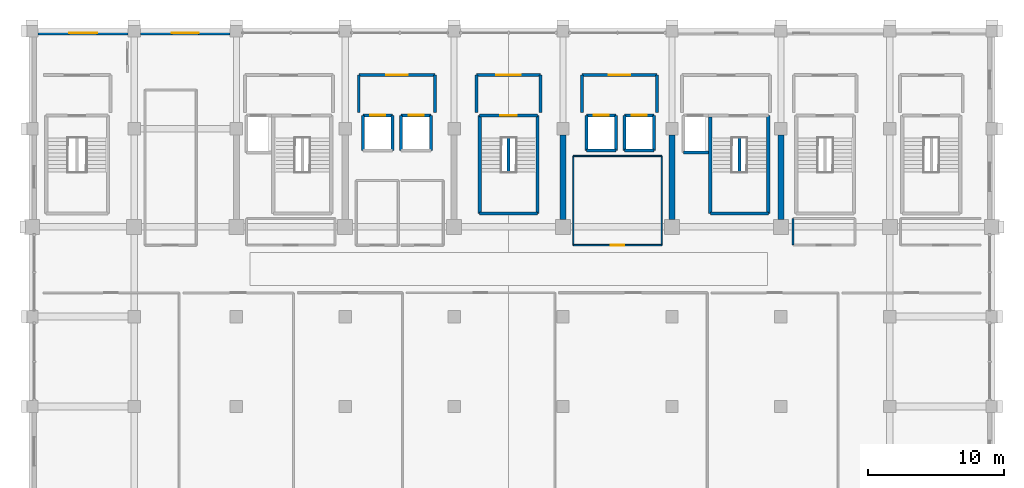
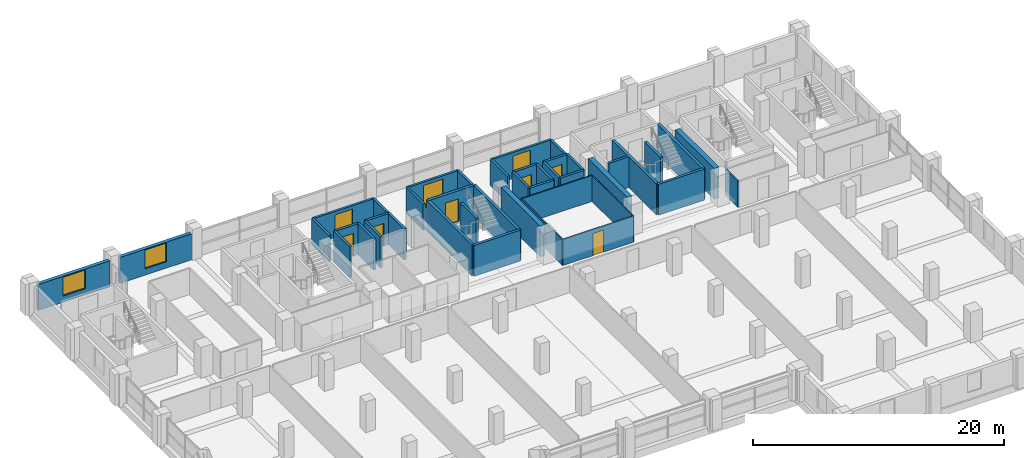
# One storey, part 18 of 22: 43 walls, 9 doors, 2 windows, 11 openings.
"""IFC4 building model written with IfcOpenShell, lengths in metres."""

from ifc_helpers import new_model, si_unit, direction, frame, frame_2d, origin, place, context, subcontext, project, spatial, rectangle, extrude, material, layer, layer_set, type_object, element, fill, save


model = new_model("IFC4")

# Units and contexts
model_context = context("Model", 3, precision=1e-05, world=origin(), true_north=direction((0.0, 1.0)))
body_context = subcontext(model_context, "Body", "Model", "MODEL_VIEW")
ifc_project = project(units=[si_unit("LENGTHUNIT", "METRE"), si_unit("AREAUNIT", "SQUARE_METRE"), si_unit("VOLUMEUNIT", "CUBIC_METRE"), si_unit("PLANEANGLEUNIT", "RADIAN"), si_unit("MASSUNIT", "GRAM", prefix="KILO")], contexts=[model_context])

# Site, building, storey
site_placement = place(None, origin())
site = spatial("IfcSite", under=ifc_project, at=site_placement, CompositionType="ELEMENT")
building_placement = place(site_placement, origin())
building = spatial("IfcBuilding", under=site, at=building_placement, Name="Akrevak Sports Hall", CompositionType="ELEMENT")
storey_placement = place(building_placement, frame((0.0, 0.0, 30.800048828125)))
storey = spatial("IfcBuildingStorey", under=building, at=storey_placement, Name="L06", CompositionType="ELEMENT", Elevation=30.800048828125)

# Wall, opening, window
ifc_material_1 = material(Name="Limestone Ashlar", Category="stone")
ifc_layer_1 = layer(ifc_material_1, 0.070068359375, Name="Limestone Ashlar")
ifc_material_2 = material(Name="Mineral Wool Thermal Insulation", Category="insulation")
ifc_layer_2 = layer(ifc_material_2, 0.090087890625, Name="Mineral Wool Thermal Insulation")
ifc_material_3 = material(Name="Concrete C40/50", Category="concrete")
ifc_layer_3 = layer(ifc_material_3, 0.159912109375, Name="Concrete C40/50")
ifc_layer_set_1 = layer_set([ifc_layer_1, ifc_layer_2, ifc_layer_3], Name="Limestone Ashlar / Mineral Wool Thermal Insulation / Concrete C40/50")
wall_type_1 = type_object("IfcWallType", Name="ARC-WL-EXT-320", PredefinedType="SOLIDWALL", material=ifc_layer_set_1)
wall_1_placement = place(storey_placement, frame((59.550048828125, 69.43994140625, 0.0), z_axis=(0.0, 0.0, 1.0), x_axis=(-1.0, 0.0, 0.0)))
wall_1 = element("IfcWall", 1, at=wall_1_placement, inside=storey, type_object=wall_type_1, Name="Tower Stone Facade Wall L06-N26", PredefinedType="SOLIDWALL", context=body_context, shape_type="SweptSolid", body=[
    extrude(rectangle(XDim=6.60009765625, YDim=0.320068359375, at=frame_2d((3.300048828125, 0.0))), origin(), (0.0, 0.0, 1.0), 2.530029296875),
])
opening_1_placement = place(wall_1_placement, frame((2.324951171875, 0.0, 0.6201171875)))
opening_1 = element("IfcOpeningElement", 2, at=opening_1_placement, cuts=wall_1, Name="Opening WN-52", PredefinedType="OPENING", context=body_context, shape_type="SweptSolid", body=[
    extrude(rectangle(XDim=1.949951171875, YDim=1.81005859375, at=frame_2d((0.97509765625, 0.905029296875))), frame((0.0, 0.171875, 0.0), z_axis=(0.0, -1.0, 0.0), x_axis=(1.0, 0.0, 0.0)), (0.0, 0.0, 1.0), 0.343994140625),
])
ifc_material_4 = material(Name="Thermally Broken Bronze Frame & Double Low-E Glass", Category="glass")
window_type_1 = type_object("IfcWindowType", Name="ARC-WIN-SZ-1950x1810", PartitioningType="SINGLE_PANEL", PredefinedType="WINDOW", material=ifc_material_4)
window_1_placement = place(opening_1_placement, origin())
window_1 = element("IfcWindow", 3, at=window_1_placement, inside=storey, type_object=window_type_1, Name="Tower Window L06-N26", OverallHeight=1.81005859375, OverallWidth=1.949951171875, PartitioningType="SINGLE_PANEL", PredefinedType="WINDOW", context=body_context, shape_type="SweptSolid", body=[
    extrude(rectangle(XDim=1.949951171875, YDim=1.81005859375, at=frame_2d((0.97509765625, 0.905029296875))), frame((0.0, 0.030029296875, 0.0), z_axis=(0.0, -1.0, 0.0), x_axis=(1.0, 0.0, 0.0)), (0.0, 0.0, 1.0), 0.06005859375),
])
fill(opening_1, window_1)

wall_2_placement = place(storey_placement, frame((52.050048828125, 69.43994140625, 0.0), z_axis=(0.0, 0.0, 1.0), x_axis=(-1.0, 0.0, 0.0)))
wall_2 = element("IfcWall", 4, at=wall_2_placement, inside=storey, type_object=wall_type_1, Name="Tower Stone Facade Wall L06-N27", PredefinedType="SOLIDWALL", context=body_context, shape_type="SweptSolid", body=[
    extrude(rectangle(XDim=6.60009765625, YDim=0.320068359375, at=frame_2d((3.300048828125, 0.0))), origin(), (0.0, 0.0, 1.0), 2.530029296875),
])
opening_2_placement = place(wall_2_placement, frame((2.27490234375, 0.0, 0.6201171875)))
opening_2 = element("IfcOpeningElement", 5, at=opening_2_placement, cuts=wall_2, Name="Opening WN-53", PredefinedType="OPENING", context=body_context, shape_type="SweptSolid", body=[
    extrude(rectangle(XDim=2.050048828125, YDim=1.81005859375, at=frame_2d((1.02490234375, 0.905029296875))), frame((0.0, 0.171875, 0.0), z_axis=(0.0, -1.0, 0.0), x_axis=(1.0, 0.0, 0.0)), (0.0, 0.0, 1.0), 0.343994140625),
])
window_type_2 = type_object("IfcWindowType", Name="ARC-WIN-SZ-2050x1810", PartitioningType="SINGLE_PANEL", PredefinedType="WINDOW", material=ifc_material_4)
window_2_placement = place(opening_2_placement, origin())
window_2 = element("IfcWindow", 6, at=window_2_placement, inside=storey, type_object=window_type_2, Name="Tower Window L06-N27", OverallHeight=1.81005859375, OverallWidth=2.050048828125, PartitioningType="SINGLE_PANEL", PredefinedType="WINDOW", context=body_context, shape_type="SweptSolid", body=[
    extrude(rectangle(XDim=2.050048828125, YDim=1.81005859375, at=frame_2d((1.02490234375, 0.905029296875))), frame((0.0, 0.030029296875, 0.0), z_axis=(0.0, -1.0, 0.0), x_axis=(1.0, 0.0, 0.0)), (0.0, 0.0, 1.0), 0.06005859375),
])
fill(opening_2, window_2)

# Wall, opening, door
ifc_material_5 = material(Name="Sanitary Cubicle Partition", Category="gypsum")
ifc_layer_4 = layer(ifc_material_5, 0.10009765625, Name="Sanitary Cubicle Partition")
ifc_layer_set_2 = layer_set([ifc_layer_4], Name="Sanitary Cubicle Partition")
wall_type_2 = type_object("IfcWallType", Name="ARC-WL-PRT-100", PredefinedType="PARTITIONING", material=ifc_layer_set_2)
wall_3_placement = place(storey_placement, frame((84.75, 53.85009765625, 0.0), z_axis=(0.0, 0.0, 1.0), x_axis=(1.0, 0.0, 0.0)))
wall_3 = element("IfcWall", 7, at=wall_3_placement, inside=storey, type_object=wall_type_2, Name="Interior Partition Sports Officiating Office L06-C1 (S)", PredefinedType="PARTITIONING", context=body_context, shape_type="SweptSolid", body=[
    extrude(rectangle(XDim=6.5, YDim=0.10009765625, at=frame_2d((3.25, 0.0))), origin(), (0.0, 0.0, 1.0), 2.530029296875),
])
opening_3_placement = place(wall_3_placement, frame((2.75, 0.0, 0.0)))
opening_3 = element("IfcOpeningElement", 8, at=opening_3_placement, cuts=wall_3, Name="Opening ID-06", PredefinedType="OPENING", context=body_context, shape_type="SweptSolid", body=[
    extrude(rectangle(XDim=1.0, YDim=2.14990234375, at=frame_2d((0.5, 1.074951171875))), frame((0.0, 0.06201171875, 0.0), z_axis=(0.0, -1.0, 0.0), x_axis=(1.0, 0.0, 0.0)), (0.0, 0.0, 1.0), 0.1240234375),
])
ifc_material_6 = material(Name="Hardwood Oak Acoustic Leaf", Category="wood")
door_type_1 = type_object("IfcDoorType", Name="ARC-DR-OFF-100x215", OperationType="NOTDEFINED", PredefinedType="DOOR", material=ifc_material_6)
door_1_placement = place(opening_3_placement, frame((1.0, 0.0, 0.0), z_axis=(0.0, 0.0, 1.0), x_axis=(-1.0, 0.0, 0.0)))
door_1 = element("IfcDoor", 9, at=door_1_placement, inside=storey, type_object=door_type_1, Name="Door to Sports Officiating Office L06-C1", OperationType="SINGLE_SWING_RIGHT", OverallHeight=2.14990234375, OverallWidth=1.0, PredefinedType="DOOR", context=body_context, shape_type="SweptSolid", body=[
    extrude(rectangle(XDim=1.0, YDim=2.14990234375, at=frame_2d((0.5, 1.074951171875))), frame((0.0, 0.02490234375, 0.0), z_axis=(0.0, -1.0, 0.0), x_axis=(1.0, 0.0, 0.0)), (0.0, 0.0, 1.0), 0.050048828125),
])
fill(opening_3, door_1)

# Walls
wall_4_placement = place(storey_placement, frame((84.75, 60.39990234375, 0.0), z_axis=(0.0, 0.0, 1.0), x_axis=(1.0, 0.0, 0.0)))
element("IfcWall", 10, at=wall_4_placement, inside=storey, type_object=wall_type_2, Name="Interior Partition Sports Officiating Office L06-C1 (N)", PredefinedType="PARTITIONING", context=body_context, shape_type="SweptSolid", body=[
    extrude(rectangle(XDim=6.5, YDim=0.10009765625, at=frame_2d((3.25, 0.0))), origin(), (0.0, 0.0, 1.0), 2.530029296875),
])
for number, where, z_axis, x_axis, name in (
    (11, (84.75, 53.85009765625, 0.0), (0.0, 0.0, 1.0), (0.0, 1.0, 0.0), "Interior Partition Sports Officiating Office L06-C1 (W)"),
    (12, (91.25, 53.85009765625, 0.0), (0.0, 0.0, 1.0), (0.0, 1.0, 0.0), "Interior Partition Sports Officiating Office L06-C1 (E)"),
):
    element("IfcWall", number, at=place(storey_placement, frame(where, z_axis=z_axis, x_axis=x_axis)), inside=storey, type_object=wall_type_2, Name=name, PredefinedType="PARTITIONING", context=body_context, shape_type="SweptSolid", body=[
        extrude(rectangle(XDim=6.5498046875, YDim=0.10009765625, at=frame_2d((3.27490234375, 0.0))), origin(), (0.0, 0.0, 1.0), 2.530029296875),
    ])
ifc_material_7 = material(Name="Double Stud Acoustic Gypsum Partition", Category="gypsum")
ifc_layer_5 = layer(ifc_material_7, 0.14990234375, Name="Double Stud Acoustic Gypsum Partition")
ifc_layer_set_3 = layer_set([ifc_layer_5], Name="Double Stud Acoustic Gypsum Partition")
wall_type_3 = type_object("IfcWallType", Name="ARC-WL-PRT-150", PredefinedType="PARTITIONING", material=ifc_layer_set_3)
wall_5_placement = place(storey_placement, frame((100.89990234375, 53.85009765625, 0.0), z_axis=(0.0, 0.0, 1.0), x_axis=(0.0, 1.0, 0.0)))
element("IfcWall", 13, at=wall_5_placement, inside=storey, type_object=wall_type_3, Name="Interior Partition Federation Research Office L06-E1 (W)", PredefinedType="PARTITIONING", context=body_context, shape_type="SweptSolid", body=[
    extrude(rectangle(XDim=1.949951171875, YDim=0.14990234375, at=frame_2d((0.97509765625, 0.0))), origin(), (0.0, 0.0, 1.0), 2.530029296875),
])

# Wall, opening, door
ifc_material_8 = material(Name="Autoclaved Aerated Masonry Block", Category="masonry")
ifc_layer_6 = layer(ifc_material_8, 0.199951171875, Name="Autoclaved Aerated Masonry Block")
ifc_layer_set_4 = layer_set([ifc_layer_6], Name="Autoclaved Aerated Masonry Block")
wall_type_4 = type_object("IfcWallType", Name="ARC-WL-PRT-200", PredefinedType="PARTITIONING", material=ifc_layer_set_4)
wall_6_placement = place(storey_placement, frame((69.0, 66.35009765625, 0.0), z_axis=(0.0, 0.0, 1.0), x_axis=(1.0, 0.0, 0.0)))
wall_6 = element("IfcWall", 14, at=wall_6_placement, inside=storey, type_object=wall_type_4, Name="Interior Partition West Passenger Lift Lobby L06 (N)", PredefinedType="PARTITIONING", context=body_context, shape_type="SweptSolid", body=[
    extrude(rectangle(XDim=5.60009765625, YDim=0.199951171875, at=frame_2d((2.800048828125, 0.0))), origin(), (0.0, 0.0, 1.0), 2.530029296875),
])
opening_4_placement = place(wall_6_placement, frame((2.0, 0.0, 0.0)))
opening_4 = element("IfcOpeningElement", 15, at=opening_4_placement, cuts=wall_6, Name="Opening ID-03", PredefinedType="OPENING", context=body_context, shape_type="SweptSolid", body=[
    extrude(rectangle(XDim=1.60009765625, YDim=2.199951171875, at=frame_2d((0.800048828125, 1.10009765625))), frame((0.0, 0.11181640625, 0.0), z_axis=(0.0, -1.0, 0.0), x_axis=(1.0, 0.0, 0.0)), (0.0, 0.0, 1.0), 0.223876953125),
])
ifc_material_9 = material(Name="Hardwood Oak & Safety Glass", Category="wood")
door_type_2 = type_object("IfcDoorType", Name="ARC-DR-HALL-160x220", OperationType="DOUBLE_DOOR_SINGLE_SWING", PredefinedType="DOOR", material=ifc_material_9)
door_2_placement = place(opening_4_placement, origin())
door_2 = element("IfcDoor", 16, at=door_2_placement, inside=storey, type_object=door_type_2, Name="Door to West Passenger Lift Lobby L06", OperationType="DOUBLE_DOOR_SINGLE_SWING", OverallHeight=2.199951171875, OverallWidth=1.60009765625, PredefinedType="DOOR", context=body_context, shape_type="SweptSolid", body=[
    extrude(rectangle(XDim=1.60009765625, YDim=2.199951171875, at=frame_2d((0.800048828125, 1.10009765625))), frame((0.0, 0.02490234375, 0.0), z_axis=(0.0, -1.0, 0.0), x_axis=(1.0, 0.0, 0.0)), (0.0, 0.0, 1.0), 0.050048828125),
])
fill(opening_4, door_2)

# Walls
for number, where, z_axis, x_axis, name in (
    (17, (69.0, 63.60009765625, 0.0), (0.0, 0.0, 1.0), (0.0, 1.0, 0.0), "Interior Partition West Passenger Lift Lobby L06 (W)"),
    (18, (74.60009765625, 63.60009765625, 0.0), (0.0, 0.0, 1.0), (0.0, 1.0, 0.0), "Interior Partition West Passenger Lift Lobby L06 (E)"),
):
    element("IfcWall", number, at=place(storey_placement, frame(where, z_axis=z_axis, x_axis=x_axis)), inside=storey, type_object=wall_type_4, Name=name, PredefinedType="PARTITIONING", context=body_context, shape_type="SweptSolid", body=[
        extrude(rectangle(XDim=2.75, YDim=0.199951171875, at=frame_2d((1.375, 0.0))), origin(), (0.0, 0.0, 1.0), 2.530029296875),
    ])

# Wall, opening, door
wall_7_placement = place(storey_placement, frame((85.39990234375, 66.35009765625, 0.0), z_axis=(0.0, 0.0, 1.0), x_axis=(1.0, 0.0, 0.0)))
wall_7 = element("IfcWall", 19, at=wall_7_placement, inside=storey, type_object=wall_type_4, Name="Interior Partition East Passenger Lift Lobby L06 (N)", PredefinedType="PARTITIONING", context=body_context, shape_type="SweptSolid", body=[
    extrude(rectangle(XDim=5.5, YDim=0.199951171875, at=frame_2d((2.75, 0.0))), origin(), (0.0, 0.0, 1.0), 2.530029296875),
])
opening_5_placement = place(wall_7_placement, frame((1.949951171875, 0.0, 0.0)))
opening_5 = element("IfcOpeningElement", 20, at=opening_5_placement, cuts=wall_7, Name="Opening ID-03", PredefinedType="OPENING", context=body_context, shape_type="SweptSolid", body=[
    extrude(rectangle(XDim=1.60009765625, YDim=2.199951171875, at=frame_2d((0.800048828125, 1.10009765625))), frame((0.0, 0.11181640625, 0.0), z_axis=(0.0, -1.0, 0.0), x_axis=(1.0, 0.0, 0.0)), (0.0, 0.0, 1.0), 0.223876953125),
])
door_3_placement = place(opening_5_placement, origin())
door_3 = element("IfcDoor", 21, at=door_3_placement, inside=storey, type_object=door_type_2, Name="Door to East Passenger Lift Lobby L06", OperationType="DOUBLE_DOOR_SINGLE_SWING", OverallHeight=2.199951171875, OverallWidth=1.60009765625, PredefinedType="DOOR", context=body_context, shape_type="SweptSolid", body=[
    extrude(rectangle(XDim=1.60009765625, YDim=2.199951171875, at=frame_2d((0.800048828125, 1.10009765625))), frame((0.0, 0.02490234375, 0.0), z_axis=(0.0, -1.0, 0.0), x_axis=(1.0, 0.0, 0.0)), (0.0, 0.0, 1.0), 0.050048828125),
])
fill(opening_5, door_3)

# Walls
for number, where, z_axis, x_axis, name in (
    (22, (85.39990234375, 63.60009765625, 0.0), (0.0, 0.0, 1.0), (0.0, 1.0, 0.0), "Interior Partition East Passenger Lift Lobby L06 (W)"),
    (23, (90.89990234375, 63.60009765625, 0.0), (0.0, 0.0, 1.0), (0.0, 1.0, 0.0), "Interior Partition East Passenger Lift Lobby L06 (E)"),
):
    element("IfcWall", number, at=place(storey_placement, frame(where, z_axis=z_axis, x_axis=x_axis)), inside=storey, type_object=wall_type_4, Name=name, PredefinedType="PARTITIONING", context=body_context, shape_type="SweptSolid", body=[
        extrude(rectangle(XDim=2.75, YDim=0.199951171875, at=frame_2d((1.375, 0.0))), origin(), (0.0, 0.0, 1.0), 2.530029296875),
    ])

# Wall, opening, door
wall_8_placement = place(storey_placement, frame((77.64990234375, 66.35009765625, 0.0), z_axis=(0.0, 0.0, 1.0), x_axis=(1.0, 0.0, 0.0)))
wall_8 = element("IfcWall", 24, at=wall_8_placement, inside=storey, type_object=wall_type_4, Name="Interior Partition Central Stair ST3 Vestibule L06 (N)", PredefinedType="PARTITIONING", context=body_context, shape_type="SweptSolid", body=[
    extrude(rectangle(XDim=4.7001953125, YDim=0.199951171875, at=frame_2d((2.35009765625, 0.0))), origin(), (0.0, 0.0, 1.0), 2.530029296875),
])
opening_6_placement = place(wall_8_placement, frame((1.449951171875, 0.0, 0.0)))
opening_6 = element("IfcOpeningElement", 25, at=opening_6_placement, cuts=wall_8, Name="Opening FD-02", PredefinedType="OPENING", context=body_context, shape_type="SweptSolid", body=[
    extrude(rectangle(XDim=1.800048828125, YDim=2.199951171875, at=frame_2d((0.89990234375, 1.10009765625))), frame((0.0, 0.11181640625, 0.0), z_axis=(0.0, -1.0, 0.0), x_axis=(1.0, 0.0, 0.0)), (0.0, 0.0, 1.0), 0.223876953125),
])
ifc_material_10 = material(Name="Fire-Rated Galvanized Door Steel", Category="steel")
door_type_3 = type_object("IfcDoorType", Name="ARC-DR-FIRE-180x220", OperationType="DOUBLE_DOOR_SINGLE_SWING", PredefinedType="DOOR", material=ifc_material_10)
door_4_placement = place(opening_6_placement, frame((1.800048828125, 0.0, 0.0), z_axis=(0.0, 0.0, 1.0), x_axis=(-1.0, 0.0, 0.0)))
door_4 = element("IfcDoor", 26, at=door_4_placement, inside=storey, type_object=door_type_3, Name="Door to Central Stair ST3 Vestibule L06", OperationType="DOUBLE_DOOR_SINGLE_SWING", OverallHeight=2.199951171875, OverallWidth=1.800048828125, PredefinedType="DOOR", context=body_context, shape_type="SweptSolid", body=[
    extrude(rectangle(XDim=1.800048828125, YDim=2.199951171875, at=frame_2d((0.89990234375, 1.10009765625))), frame((0.0, 0.02490234375, 0.0), z_axis=(0.0, -1.0, 0.0), x_axis=(1.0, 0.0, 0.0)), (0.0, 0.0, 1.0), 0.050048828125),
])
fill(opening_6, door_4)

# Walls
for number, where, z_axis, x_axis, name in (
    (27, (77.64990234375, 63.60009765625, 0.0), (0.0, 0.0, 1.0), (0.0, 1.0, 0.0), "Interior Partition Central Stair ST3 Vestibule L06 (W)"),
    (28, (82.35009765625, 63.60009765625, 0.0), (0.0, 0.0, 1.0), (0.0, 1.0, 0.0), "Interior Partition Central Stair ST3 Vestibule L06 (E)"),
):
    element("IfcWall", number, at=place(storey_placement, frame(where, z_axis=z_axis, x_axis=x_axis)), inside=storey, type_object=wall_type_4, Name=name, PredefinedType="PARTITIONING", context=body_context, shape_type="SweptSolid", body=[
        extrude(rectangle(XDim=2.75, YDim=0.199951171875, at=frame_2d((1.375, 0.0))), origin(), (0.0, 0.0, 1.0), 2.530029296875),
    ])
ifc_layer_7 = layer(ifc_material_3, 0.219970703125, Name="Concrete C40/50")
ifc_layer_set_5 = layer_set([ifc_layer_7], Name="Concrete C40/50")
wall_type_5 = type_object("IfcWallType", Name="ARC-WL-PRT-220", PredefinedType="PARTITIONING", material=ifc_layer_set_5)
for number, where, z_axis, x_axis, name in (
    (29, (96.949951171875, 59.215087890625, 0.0), (0.0, 0.0, 1.0), (0.0, 1.0, 0.0), "Stair ST2 Central Spine Wall (L06)"),
    (30, (80.0, 59.215087890625, 0.0), (0.0, 0.0, 1.0), (0.0, 1.0, 0.0), "Stair ST3 Central Spine Wall (L06)"),
):
    element("IfcWall", number, at=place(storey_placement, frame(where, z_axis=z_axis, x_axis=x_axis)), inside=storey, type_object=wall_type_5, Name=name, PredefinedType="PARTITIONING", context=body_context, shape_type="SweptSolid", body=[
        extrude(rectangle(XDim=2.52001953125, YDim=0.219970703125, at=frame_2d((1.260009765625, 0.0))), origin(), (0.0, 0.0, 1.0), 3.0),
    ])
ifc_material_11 = material(Name="Concrete C50/60", Category="concrete")
ifc_layer_8 = layer(ifc_material_11, 0.219970703125, Name="Concrete C50/60")
ifc_layer_set_6 = layer_set([ifc_layer_8], Name="Concrete C50/60")
wall_type_6 = type_object("IfcWallType", Name="ARC-WL-SHAFT-220", PredefinedType="SHEAR", material=ifc_layer_set_6)
wall_9_placement = place(storey_placement, frame((92.860107421875, 60.659912109375, 0.0), z_axis=(0.0, 0.0, 1.0), x_axis=(1.0, 0.0, 0.0)))
element("IfcWall", 31, at=wall_9_placement, inside=storey, type_object=wall_type_6, Name="Lift Shaft LF-FF2 Wall S (L06)", PredefinedType="SHEAR", context=body_context, shape_type="SweptSolid", body=[
    extrude(rectangle(XDim=1.83984375, YDim=0.219970703125, at=frame_2d((0.919921875, 0.0))), origin(), (0.0, 0.0, 1.0), 3.0),
])

# Wall, opening, door
wall_10_placement = place(storey_placement, frame((71.489990234375, 63.389892578125, 0.0), z_axis=(0.0, 0.0, 1.0), x_axis=(-1.0, 0.0, 0.0)))
wall_10 = element("IfcWall", 32, at=wall_10_placement, inside=storey, type_object=wall_type_6, Name="Lift Shaft LF-P1 Wall N (L06)", PredefinedType="SHEAR", context=body_context, shape_type="SweptSolid", body=[
    extrude(rectangle(XDim=2.179931640625, YDim=0.219970703125, at=frame_2d((1.08984375, 0.0))), origin(), (0.0, 0.0, 1.0), 3.0),
])
opening_7_placement = place(wall_10_placement, frame((0.5400390625, 0.0, 0.0)))
opening_7 = element("IfcOpeningElement", 33, at=opening_7_placement, cuts=wall_10, Name="Opening LD-01", PredefinedType="OPENING", context=body_context, shape_type="SweptSolid", body=[
    extrude(rectangle(XDim=1.10009765625, YDim=2.199951171875, at=frame_2d((0.550048828125, 1.10009765625))), frame((0.0, 0.1220703125, 0.0), z_axis=(0.0, -1.0, 0.0), x_axis=(1.0, 0.0, 0.0)), (0.0, 0.0, 1.0), 0.243896484375),
])
ifc_material_12 = material(Name="Brushed Stainless Steel 304", Category="steel")
door_type_4 = type_object("IfcDoorType", Name="ARC-DR-LD-110x220", OperationType="SLIDING_TO_LEFT", PredefinedType="DOOR", material=ifc_material_12)
door_5_placement = place(opening_7_placement, origin())
door_5 = element("IfcDoor", 34, at=door_5_placement, inside=storey, type_object=door_type_4, Name="Lift LF-P1 Sliding Landing Door (L06)", OperationType="SLIDING_TO_LEFT", OverallHeight=2.199951171875, OverallWidth=1.10009765625, PredefinedType="DOOR", context=body_context, shape_type="SweptSolid", body=[
    extrude(rectangle(XDim=1.10009765625, YDim=2.199951171875, at=frame_2d((0.550048828125, 1.10009765625))), frame((0.0, 0.02490234375, 0.0), z_axis=(0.0, -1.0, 0.0), x_axis=(1.0, 0.0, 0.0)), (0.0, 0.0, 1.0), 0.050048828125),
])
fill(opening_7, door_5)

# Walls
for number, where, z_axis, x_axis, name in (
    (35, (69.31005859375, 63.389892578125, 0.0), (0.0, 0.0, 1.0), (0.0, -1.0, 0.0), "Lift Shaft LF-P1 Wall W (L06)"),
    (36, (71.489990234375, 60.81005859375, 0.0), (0.0, 0.0, 1.0), (0.0, 1.0, 0.0), "Lift Shaft LF-P1 Wall E (L06)"),
):
    element("IfcWall", number, at=place(storey_placement, frame(where, z_axis=z_axis, x_axis=x_axis)), inside=storey, type_object=wall_type_6, Name=name, PredefinedType="SHEAR", context=body_context, shape_type="SweptSolid", body=[
        extrude(rectangle(XDim=2.579833984375, YDim=0.219970703125, at=frame_2d((1.2900390625, 0.0))), origin(), (0.0, 0.0, 1.0), 3.0),
    ])

# Wall, opening, door
wall_11_placement = place(storey_placement, frame((74.2900390625, 63.389892578125, 0.0), z_axis=(0.0, 0.0, 1.0), x_axis=(-1.0, 0.0, 0.0)))
wall_11 = element("IfcWall", 37, at=wall_11_placement, inside=storey, type_object=wall_type_6, Name="Lift Shaft LF-P2 Wall N (L06)", PredefinedType="SHEAR", context=body_context, shape_type="SweptSolid", body=[
    extrude(rectangle(XDim=2.179931640625, YDim=0.219970703125, at=frame_2d((1.08984375, 0.0))), origin(), (0.0, 0.0, 1.0), 3.0),
])
opening_8_placement = place(wall_11_placement, frame((0.5400390625, 0.0, 0.0)))
opening_8 = element("IfcOpeningElement", 38, at=opening_8_placement, cuts=wall_11, Name="Opening LD-01", PredefinedType="OPENING", context=body_context, shape_type="SweptSolid", body=[
    extrude(rectangle(XDim=1.10009765625, YDim=2.199951171875, at=frame_2d((0.550048828125, 1.10009765625))), frame((0.0, 0.1220703125, 0.0), z_axis=(0.0, -1.0, 0.0), x_axis=(1.0, 0.0, 0.0)), (0.0, 0.0, 1.0), 0.243896484375),
])
door_6_placement = place(opening_8_placement, origin())
door_6 = element("IfcDoor", 39, at=door_6_placement, inside=storey, type_object=door_type_4, Name="Lift LF-P2 Sliding Landing Door (L06)", OperationType="SLIDING_TO_LEFT", OverallHeight=2.199951171875, OverallWidth=1.10009765625, PredefinedType="DOOR", context=body_context, shape_type="SweptSolid", body=[
    extrude(rectangle(XDim=1.10009765625, YDim=2.199951171875, at=frame_2d((0.550048828125, 1.10009765625))), frame((0.0, 0.02490234375, 0.0), z_axis=(0.0, -1.0, 0.0), x_axis=(1.0, 0.0, 0.0)), (0.0, 0.0, 1.0), 0.050048828125),
])
fill(opening_8, door_6)

# Walls
for number, where, z_axis, x_axis, name in (
    (40, (72.110107421875, 63.389892578125, 0.0), (0.0, 0.0, 1.0), (0.0, -1.0, 0.0), "Lift Shaft LF-P2 Wall W (L06)"),
    (41, (74.2900390625, 60.81005859375, 0.0), (0.0, 0.0, 1.0), (0.0, 1.0, 0.0), "Lift Shaft LF-P2 Wall E (L06)"),
):
    element("IfcWall", number, at=place(storey_placement, frame(where, z_axis=z_axis, x_axis=x_axis)), inside=storey, type_object=wall_type_6, Name=name, PredefinedType="SHEAR", context=body_context, shape_type="SweptSolid", body=[
        extrude(rectangle(XDim=2.579833984375, YDim=0.219970703125, at=frame_2d((1.2900390625, 0.0))), origin(), (0.0, 0.0, 1.0), 3.0),
    ])
wall_12_placement = place(storey_placement, frame((85.7099609375, 60.81005859375, 0.0), z_axis=(0.0, 0.0, 1.0), x_axis=(1.0, 0.0, 0.0)))
element("IfcWall", 42, at=wall_12_placement, inside=storey, type_object=wall_type_6, Name="Lift Shaft LF-P3 Wall S (L06)", PredefinedType="SHEAR", context=body_context, shape_type="SweptSolid", body=[
    extrude(rectangle(XDim=2.179931640625, YDim=0.219970703125, at=frame_2d((1.08984375, 0.0))), origin(), (0.0, 0.0, 1.0), 3.0),
])

# Wall, opening, door
wall_13_placement = place(storey_placement, frame((87.889892578125, 63.389892578125, 0.0), z_axis=(0.0, 0.0, 1.0), x_axis=(-1.0, 0.0, 0.0)))
wall_13 = element("IfcWall", 43, at=wall_13_placement, inside=storey, type_object=wall_type_6, Name="Lift Shaft LF-P3 Wall N (L06)", PredefinedType="SHEAR", context=body_context, shape_type="SweptSolid", body=[
    extrude(rectangle(XDim=2.179931640625, YDim=0.219970703125, at=frame_2d((1.08984375, 0.0))), origin(), (0.0, 0.0, 1.0), 3.0),
])
opening_9_placement = place(wall_13_placement, frame((0.5400390625, 0.0, 0.0)))
opening_9 = element("IfcOpeningElement", 44, at=opening_9_placement, cuts=wall_13, Name="Opening LD-01", PredefinedType="OPENING", context=body_context, shape_type="SweptSolid", body=[
    extrude(rectangle(XDim=1.10009765625, YDim=2.199951171875, at=frame_2d((0.550048828125, 1.10009765625))), frame((0.0, 0.1220703125, 0.0), z_axis=(0.0, -1.0, 0.0), x_axis=(1.0, 0.0, 0.0)), (0.0, 0.0, 1.0), 0.243896484375),
])
door_7_placement = place(opening_9_placement, origin())
door_7 = element("IfcDoor", 45, at=door_7_placement, inside=storey, type_object=door_type_4, Name="Lift LF-P3 Sliding Landing Door (L06)", OperationType="SLIDING_TO_LEFT", OverallHeight=2.199951171875, OverallWidth=1.10009765625, PredefinedType="DOOR", context=body_context, shape_type="SweptSolid", body=[
    extrude(rectangle(XDim=1.10009765625, YDim=2.199951171875, at=frame_2d((0.550048828125, 1.10009765625))), frame((0.0, 0.02490234375, 0.0), z_axis=(0.0, -1.0, 0.0), x_axis=(1.0, 0.0, 0.0)), (0.0, 0.0, 1.0), 0.050048828125),
])
fill(opening_9, door_7)

# Walls
for number, where, z_axis, x_axis, name in (
    (46, (85.7099609375, 63.389892578125, 0.0), (0.0, 0.0, 1.0), (0.0, -1.0, 0.0), "Lift Shaft LF-P3 Wall W (L06)"),
    (47, (87.889892578125, 60.81005859375, 0.0), (0.0, 0.0, 1.0), (0.0, 1.0, 0.0), "Lift Shaft LF-P3 Wall E (L06)"),
):
    element("IfcWall", number, at=place(storey_placement, frame(where, z_axis=z_axis, x_axis=x_axis)), inside=storey, type_object=wall_type_6, Name=name, PredefinedType="SHEAR", context=body_context, shape_type="SweptSolid", body=[
        extrude(rectangle(XDim=2.579833984375, YDim=0.219970703125, at=frame_2d((1.2900390625, 0.0))), origin(), (0.0, 0.0, 1.0), 3.0),
    ])
wall_14_placement = place(storey_placement, frame((88.510009765625, 60.81005859375, 0.0), z_axis=(0.0, 0.0, 1.0), x_axis=(1.0, 0.0, 0.0)))
element("IfcWall", 48, at=wall_14_placement, inside=storey, type_object=wall_type_6, Name="Lift Shaft LF-P4 Wall S (L06)", PredefinedType="SHEAR", context=body_context, shape_type="SweptSolid", body=[
    extrude(rectangle(XDim=2.179931640625, YDim=0.219970703125, at=frame_2d((1.08984375, 0.0))), origin(), (0.0, 0.0, 1.0), 3.0),
])

# Wall, opening, door
wall_15_placement = place(storey_placement, frame((90.68994140625, 63.389892578125, 0.0), z_axis=(0.0, 0.0, 1.0), x_axis=(-1.0, 0.0, 0.0)))
wall_15 = element("IfcWall", 49, at=wall_15_placement, inside=storey, type_object=wall_type_6, Name="Lift Shaft LF-P4 Wall N (L06)", PredefinedType="SHEAR", context=body_context, shape_type="SweptSolid", body=[
    extrude(rectangle(XDim=2.179931640625, YDim=0.219970703125, at=frame_2d((1.08984375, 0.0))), origin(), (0.0, 0.0, 1.0), 3.0),
])
opening_10_placement = place(wall_15_placement, frame((0.5400390625, 0.0, 0.0)))
opening_10 = element("IfcOpeningElement", 50, at=opening_10_placement, cuts=wall_15, Name="Opening LD-01", PredefinedType="OPENING", context=body_context, shape_type="SweptSolid", body=[
    extrude(rectangle(XDim=1.10009765625, YDim=2.199951171875, at=frame_2d((0.550048828125, 1.10009765625))), frame((0.0, 0.1220703125, 0.0), z_axis=(0.0, -1.0, 0.0), x_axis=(1.0, 0.0, 0.0)), (0.0, 0.0, 1.0), 0.243896484375),
])
door_8_placement = place(opening_10_placement, origin())
door_8 = element("IfcDoor", 51, at=door_8_placement, inside=storey, type_object=door_type_4, Name="Lift LF-P4 Sliding Landing Door (L06)", OperationType="SLIDING_TO_LEFT", OverallHeight=2.199951171875, OverallWidth=1.10009765625, PredefinedType="DOOR", context=body_context, shape_type="SweptSolid", body=[
    extrude(rectangle(XDim=1.10009765625, YDim=2.199951171875, at=frame_2d((0.550048828125, 1.10009765625))), frame((0.0, 0.02490234375, 0.0), z_axis=(0.0, -1.0, 0.0), x_axis=(1.0, 0.0, 0.0)), (0.0, 0.0, 1.0), 0.050048828125),
])
fill(opening_10, door_8)

# Walls
for number, where, z_axis, x_axis, name in (
    (52, (88.510009765625, 63.389892578125, 0.0), (0.0, 0.0, 1.0), (0.0, -1.0, 0.0), "Lift Shaft LF-P4 Wall W (L06)"),
    (53, (90.68994140625, 60.81005859375, 0.0), (0.0, 0.0, 1.0), (0.0, 1.0, 0.0), "Lift Shaft LF-P4 Wall E (L06)"),
):
    element("IfcWall", number, at=place(storey_placement, frame(where, z_axis=z_axis, x_axis=x_axis)), inside=storey, type_object=wall_type_6, Name=name, PredefinedType="SHEAR", context=body_context, shape_type="SweptSolid", body=[
        extrude(rectangle(XDim=2.579833984375, YDim=0.219970703125, at=frame_2d((1.2900390625, 0.0))), origin(), (0.0, 0.0, 1.0), 3.0),
    ])
ifc_layer_9 = layer(ifc_material_11, 0.449951171875, Name="Concrete C50/60")
ifc_layer_set_7 = layer_set([ifc_layer_9], Name="Concrete C50/60")
wall_type_7 = type_object("IfcWallType", Name="STR-WL-CORE-450", PredefinedType="SHEAR", material=ifc_layer_set_7)
for number, where, z_axis, x_axis, name in (
    (54, (84.0, 55.75, 0.0), (0.0, 0.0, 1.0), (0.0, 1.0, 0.0), "Reinforced Concrete Shear Wall SW-C2 (L06)"),
    (55, (92.0, 55.75, 0.0), (0.0, 0.0, 1.0), (0.0, 1.0, 0.0), "Reinforced Concrete Shear Wall SW-E1 (L06)"),
    (56, (100.0, 55.75, 0.0), (0.0, 0.0, 1.0), (0.0, 1.0, 0.0), "Reinforced Concrete Shear Wall SW-E2 (L06)"),
):
    element("IfcWall", number, at=place(storey_placement, frame(where, z_axis=z_axis, x_axis=x_axis)), inside=storey, type_object=wall_type_7, Name=name, PredefinedType="SHEAR", context=body_context, shape_type="SweptSolid", body=[
        extrude(rectangle(XDim=6.199951171875, YDim=0.449951171875, at=frame_2d((3.10009765625, 0.0))), origin(), (0.0, 0.0, 1.0), 3.0),
    ])
ifc_layer_10 = layer(ifc_material_11, 0.25, Name="Concrete C50/60")
ifc_layer_set_8 = layer_set([ifc_layer_10], Name="Concrete C50/60")
wall_type_8 = type_object("IfcWallType", Name="STR-WL-STAIR-250", PredefinedType="SHEAR", material=ifc_layer_set_8)
wall_16_placement = place(storey_placement, frame((94.824951171875, 56.175048828125, 0.0), z_axis=(0.0, 0.0, 1.0), x_axis=(1.0, 0.0, 0.0)))
element("IfcWall", 57, at=wall_16_placement, inside=storey, type_object=wall_type_8, Name="Stair Core ST2 Shear Wall S (L06)", PredefinedType="SHEAR", context=body_context, shape_type="SweptSolid", body=[
    extrude(rectangle(XDim=4.25, YDim=0.25, at=frame_2d((2.125, 0.0))), origin(), (0.0, 0.0, 1.0), 3.0),
])
wall_17_placement = place(storey_placement, frame((94.824951171875, 63.25, 0.0), z_axis=(0.0, 0.0, 1.0), x_axis=(0.0, -1.0, 0.0)))
element("IfcWall", 58, at=wall_17_placement, inside=storey, type_object=wall_type_8, Name="Stair Core ST2 Shear Wall W (L06)", PredefinedType="SHEAR", context=body_context, shape_type="SweptSolid", body=[
    extrude(rectangle(XDim=7.074951171875, YDim=0.25, at=frame_2d((3.53759765625, 0.0))), origin(), (0.0, 0.0, 1.0), 3.0),
])
wall_18_placement = place(storey_placement, frame((99.074951171875, 56.175048828125, 0.0), z_axis=(0.0, 0.0, 1.0), x_axis=(0.0, 1.0, 0.0)))
element("IfcWall", 59, at=wall_18_placement, inside=storey, type_object=wall_type_8, Name="Stair Core ST2 Shear Wall E (L06)", PredefinedType="SHEAR", context=body_context, shape_type="SweptSolid", body=[
    extrude(rectangle(XDim=7.199951171875, YDim=0.25, at=frame_2d((3.60009765625, 0.0))), origin(), (0.0, 0.0, 1.0), 3.0),
])
wall_19_placement = place(storey_placement, frame((77.875, 56.175048828125, 0.0), z_axis=(0.0, 0.0, 1.0), x_axis=(1.0, 0.0, 0.0)))
element("IfcWall", 60, at=wall_19_placement, inside=storey, type_object=wall_type_8, Name="Stair Core ST3 Shear Wall S (L06)", PredefinedType="SHEAR", context=body_context, shape_type="SweptSolid", body=[
    extrude(rectangle(XDim=4.25, YDim=0.25, at=frame_2d((2.125, 0.0))), origin(), (0.0, 0.0, 1.0), 3.0),
])

# Wall, opening, door
wall_20_placement = place(storey_placement, frame((82.125, 63.375, 0.0), z_axis=(0.0, 0.0, 1.0), x_axis=(-1.0, 0.0, 0.0)))
wall_20 = element("IfcWall", 61, at=wall_20_placement, inside=storey, type_object=wall_type_8, Name="Stair Core ST3 Shear Wall N (L06)", PredefinedType="SHEAR", context=body_context, shape_type="SweptSolid", body=[
    extrude(rectangle(XDim=4.25, YDim=0.25, at=frame_2d((2.125, 0.0))), origin(), (0.0, 0.0, 1.0), 3.0),
])
opening_11_placement = place(wall_20_placement, frame((1.52490234375, 0.0, 0.0)))
opening_11 = element("IfcOpeningElement", 62, at=opening_11_placement, cuts=wall_20, Name="Opening SD-02", PredefinedType="OPENING", context=body_context, shape_type="SweptSolid", body=[
    extrude(rectangle(XDim=1.199951171875, YDim=2.199951171875, at=frame_2d((0.60009765625, 1.10009765625))), frame((0.0, 0.136962890625, 0.0), z_axis=(0.0, -1.0, 0.0), x_axis=(1.0, 0.0, 0.0)), (0.0, 0.0, 1.0), 0.27392578125),
])
door_type_5 = type_object("IfcDoorType", Name="ARC-DR-STAIR-120x220", OperationType="NOTDEFINED", PredefinedType="DOOR", material=ifc_material_10)
door_9_placement = place(opening_11_placement, origin())
door_9 = element("IfcDoor", 63, at=door_9_placement, inside=storey, type_object=door_type_5, Name="Exit Stair ST3 Door (L06)", OperationType="SINGLE_SWING_RIGHT", OverallHeight=2.199951171875, OverallWidth=1.199951171875, PredefinedType="DOOR", context=body_context, shape_type="SweptSolid", body=[
    extrude(rectangle(XDim=1.199951171875, YDim=2.199951171875, at=frame_2d((0.60009765625, 1.10009765625))), frame((0.0, 0.02490234375, 0.0), z_axis=(0.0, -1.0, 0.0), x_axis=(1.0, 0.0, 0.0)), (0.0, 0.0, 1.0), 0.050048828125),
])
fill(opening_11, door_9)

# Walls
for number, where, z_axis, x_axis, name in (
    (64, (77.875, 63.375, 0.0), (0.0, 0.0, 1.0), (0.0, -1.0, 0.0), "Stair Core ST3 Shear Wall W (L06)"),
    (65, (82.125, 56.175048828125, 0.0), (0.0, 0.0, 1.0), (0.0, 1.0, 0.0), "Stair Core ST3 Shear Wall E (L06)"),
):
    element("IfcWall", number, at=place(storey_placement, frame(where, z_axis=z_axis, x_axis=x_axis)), inside=storey, type_object=wall_type_8, Name=name, PredefinedType="SHEAR", context=body_context, shape_type="SweptSolid", body=[
        extrude(rectangle(XDim=7.199951171875, YDim=0.25, at=frame_2d((3.60009765625, 0.0))), origin(), (0.0, 0.0, 1.0), 3.0),
    ])

save(model, "model.ifc")
